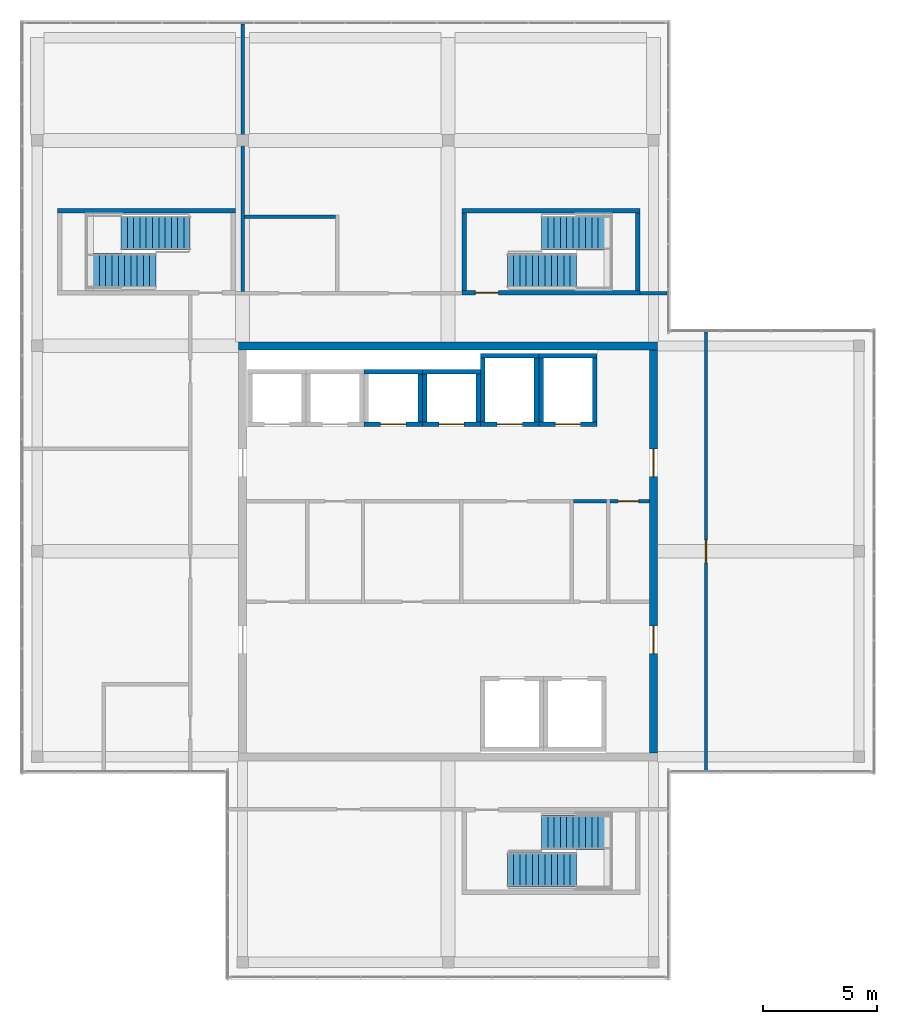
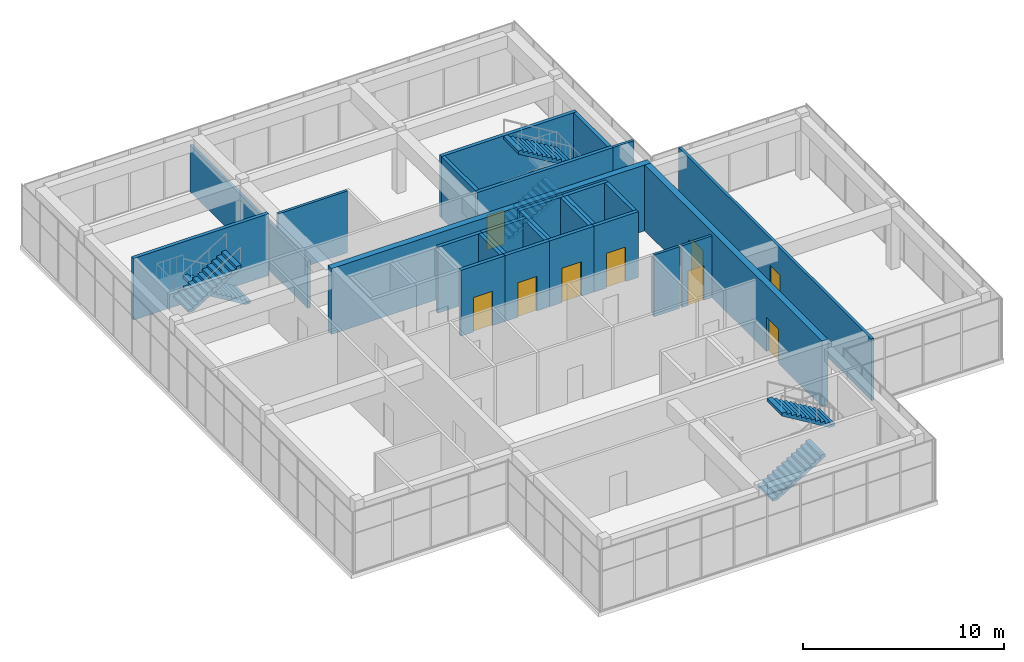
# One storey, part 32 of 34: 28 walls, 9 doors, 6 stair flights, 9 openings, 3 elements without a shape of their own.
"""IFC4 building model written with IfcOpenShell, lengths in metres."""

from ifc_helpers import new_model, si_unit, direction, frame, frame_2d, origin, place, context, subcontext, project, spatial, polyline, rectangle, outline, extrude, material, layer, layer_set, type_object, element, fill, aggregate, save


model = new_model("IFC4")

# Units and contexts
model_context = context("Model", 3, precision=1e-05, world=origin(), true_north=direction((0.0, 1.0)))
body_context = subcontext(model_context, "Body", "Model", "MODEL_VIEW")
ifc_project = project(units=[si_unit("LENGTHUNIT", "METRE"), si_unit("AREAUNIT", "SQUARE_METRE"), si_unit("VOLUMEUNIT", "CUBIC_METRE"), si_unit("PLANEANGLEUNIT", "RADIAN"), si_unit("MASSUNIT", "GRAM", prefix="KILO")], contexts=[model_context])

# Site, building, storey
site_placement = place(None, origin())
site = spatial("IfcSite", under=ifc_project, at=site_placement, CompositionType="ELEMENT")
building_placement = place(site_placement, origin())
building = spatial("IfcBuilding", under=site, at=building_placement, Name="Tuart Plaza Theatre", CompositionType="ELEMENT")
storey_placement = place(building_placement, frame((0.0, 0.0, 57.5)))
storey = spatial("IfcBuildingStorey", under=building, at=storey_placement, Name="L14", CompositionType="ELEMENT", Elevation=57.5)

# Wall
ifc_material_1 = material(Name="Masonry block", Category="masonry")
ifc_layer_1 = layer(ifc_material_1, 0.14990234375)
ifc_layer_set_1 = layer_set([ifc_layer_1], Name="PARTITION BLK150 MASONRYB FRL -/120/120")
wall_type_1 = type_object("IfcWallType", Name="PARTITION BLK150 MASONRYB FRL -/120/120", PredefinedType="PARTITIONING", material=ifc_layer_set_1)
wall_1_placement = place(storey_placement, frame((137.5, 76.199951171875, 0.0), z_axis=(0.0, 0.0, 1.0), x_axis=(1.0, 0.0, 0.0)))
element("IfcWall", 1, at=wall_1_placement, inside=storey, type_object=wall_type_1, Name="P706", PredefinedType="PARTITIONING", context=body_context, shape_type="SweptSolid", body=[
    extrude(rectangle(XDim=1.449951171875, YDim=0.14990234375, at=frame_2d((0.72509765625, 0.0))), origin(), (0.0, 0.0, 1.0), 3.75),
])

# Wall, opening, door
wall_2_placement = place(storey_placement, frame((139.10009765625, 76.199951171875, 0.0), z_axis=(0.0, 0.0, 1.0), x_axis=(1.0, 0.0, 0.0)))
wall_2 = element("IfcWall", 2, at=wall_2_placement, inside=storey, type_object=wall_type_1, Name="P708", PredefinedType="PARTITIONING", context=body_context, shape_type="SweptSolid", body=[
    extrude(rectangle(XDim=1.724853515625, YDim=0.14990234375, at=frame_2d((0.8623046875, 0.0))), origin(), (0.0, 0.0, 1.0), 3.75),
])
opening_1_placement = place(wall_2_placement, frame((0.35009765625, 0.0, 0.0)))
opening_1 = element("IfcOpeningElement", 3, at=opening_1_placement, cuts=wall_2, Name="Opening L14-021", PredefinedType="OPENING", context=body_context, shape_type="SweptSolid", body=[
    extrude(rectangle(XDim=0.89990234375, YDim=2.10009765625, at=frame_2d((0.449951171875, 1.050048828125))), frame((0.0, 0.0849609375, 0.0), z_axis=(0.0, -1.0, 0.0), x_axis=(1.0, 0.0, 0.0)), (0.0, 0.0, 1.0), 0.169921875),
])
ifc_material_2 = material(Name="Steel Grade 300", Category="steel")
door_type_1 = type_object("IfcDoorType", Name="DOOR 900x2100 steel single swing FRL -/120/30", OperationType="SINGLE_SWING_LEFT", PredefinedType="DOOR", material=ifc_material_2)
door_1_placement = place(opening_1_placement, frame((0.89990234375, 0.0, 0.0), z_axis=(0.0, 0.0, 1.0), x_axis=(-1.0, 0.0, 0.0)))
door_1 = element("IfcDoor", 4, at=door_1_placement, inside=storey, type_object=door_type_1, Name="L14-021", OperationType="SINGLE_SWING_LEFT", OverallHeight=2.10009765625, OverallWidth=0.89990234375, PredefinedType="DOOR", context=body_context, shape_type="SweptSolid", body=[
    extrude(rectangle(XDim=0.89990234375, YDim=2.10009765625, at=frame_2d((0.449951171875, 1.050048828125))), frame((0.0, 0.02490234375, 0.0), z_axis=(0.0, -1.0, 0.0), x_axis=(1.0, 0.0, 0.0)), (0.0, 0.0, 1.0), 0.050048828125),
])
fill(opening_1, door_1)

ifc_material_3 = material(Name="Masonry block", Category="masonry")
ifc_layer_2 = layer(ifc_material_3, 0.14990234375)
ifc_layer_set_2 = layer_set([ifc_layer_2], Name="PARTITION BLK150 MASONRYB FRL 120/-/-")
wall_type_2 = type_object("IfcWallType", Name="PARTITION BLK150 MASONRYB FRL 120/-/-", PredefinedType="PARTITIONING", material=ifc_layer_set_2)
wall_3_placement = place(storey_placement, frame((143.300048828125, 83.60009765625, 0.0), z_axis=(0.0, 0.0, 1.0), x_axis=(0.0, -1.0, 0.0)))
wall_3 = element("IfcWall", 5, at=wall_3_placement, inside=storey, type_object=wall_type_2, Name="P712", PredefinedType="PARTITIONING", context=body_context, shape_type="SweptSolid", body=[
    extrude(rectangle(XDim=19.2001953125, YDim=0.14990234375, at=frame_2d((9.60009765625, 0.0))), origin(), (0.0, 0.0, 1.0), 3.75),
])
opening_2_placement = place(wall_3_placement, frame((9.10009765625, 0.0, 0.0)))
opening_2 = element("IfcOpeningElement", 6, at=opening_2_placement, cuts=wall_3, Name="Opening L14-026", PredefinedType="OPENING", context=body_context, shape_type="SweptSolid", body=[
    extrude(rectangle(XDim=1.0, YDim=2.10009765625, at=frame_2d((0.5, 1.050048828125))), frame((0.0, 0.0849609375, 0.0), z_axis=(0.0, -1.0, 0.0), x_axis=(1.0, 0.0, 0.0)), (0.0, 0.0, 1.0), 0.169921875),
])
ifc_material_4 = material(Name="Timber", Category="wood")
door_type_2 = type_object("IfcDoorType", Name="DOOR 1000x2100 timber single swing FRL -/60/30", OperationType="SINGLE_SWING_LEFT", PredefinedType="DOOR", material=ifc_material_4)
door_2_placement = place(opening_2_placement, origin())
door_2 = element("IfcDoor", 7, at=door_2_placement, inside=storey, type_object=door_type_2, Name="L14-026", OperationType="SINGLE_SWING_LEFT", OverallHeight=2.10009765625, OverallWidth=1.0, PredefinedType="DOOR", context=body_context, shape_type="SweptSolid", body=[
    extrude(rectangle(XDim=1.0, YDim=2.10009765625, at=frame_2d((0.5, 1.050048828125))), frame((0.0, 0.02490234375, 0.0), z_axis=(0.0, -1.0, 0.0), x_axis=(1.0, 0.0, 0.0)), (0.0, 0.0, 1.0), 0.050048828125),
])
fill(opening_2, door_2)

# Walls
wall_4_placement = place(storey_placement, frame((140.39990234375, 85.300048828125, 0.0), z_axis=(0.0, 0.0, 1.0), x_axis=(1.0, 0.0, 0.0)))
element("IfcWall", 8, at=wall_4_placement, inside=storey, type_object=wall_type_2, Name="P714", PredefinedType="PARTITIONING", context=body_context, shape_type="SweptSolid", body=[
    extrude(rectangle(XDim=1.2001953125, YDim=0.14990234375, at=frame_2d((0.60009765625, 0.0))), origin(), (0.0, 0.0, 1.0), 3.75),
])
wall_5_placement = place(storey_placement, frame((123.0, 85.3740234375, 0.0), z_axis=(0.0, 0.0, 1.0), x_axis=(0.0, 1.0, 0.0)))
element("IfcWall", 9, at=wall_5_placement, inside=storey, type_object=wall_type_2, Name="P715", PredefinedType="PARTITIONING", context=body_context, shape_type="SweptSolid", body=[
    extrude(rectangle(XDim=11.72607421875, YDim=0.14990234375, at=frame_2d((5.863037109375, 0.0))), origin(), (0.0, 0.0, 1.0), 2.85009765625),
])
wall_6_placement = place(storey_placement, frame((123.074951171875, 88.64990234375, 0.0), z_axis=(0.0, 0.0, 1.0), x_axis=(1.0, 0.0, 0.0)))
element("IfcWall", 10, at=wall_6_placement, inside=storey, type_object=wall_type_2, Name="P719", PredefinedType="PARTITIONING", context=body_context, shape_type="SweptSolid", body=[
    extrude(rectangle(XDim=4.0, YDim=0.14990234375, at=frame_2d((2.0, 0.0))), origin(), (0.0, 0.0, 1.0), 3.75),
])

# Wall, opening, door
ifc_material_5 = material(Name="Concrete N40 (40 MPa)", Category="concrete")
ifc_layer_3 = layer(ifc_material_5, 0.199951171875)
ifc_layer_set_3 = layer_set([ifc_layer_3], Name="SHEAR WALL RC200 FRL 120/120/120")
wall_type_3 = type_object("IfcWallType", Name="SHEAR WALL RC200 FRL 120/120/120", PredefinedType="SHEAR", material=ifc_layer_set_3)
wall_7_placement = place(storey_placement, frame((128.324951171875, 79.574951171875, 0.0), z_axis=(0.0, 0.0, 1.0), x_axis=(1.0, 0.0, 0.0)))
wall_7 = element("IfcWall", 11, at=wall_7_placement, inside=storey, type_object=wall_type_3, Name="W926", PredefinedType="SHEAR", context=body_context, shape_type="SweptSolid", body=[
    extrude(rectangle(XDim=2.550048828125, YDim=0.199951171875, at=frame_2d((1.27490234375, 0.0))), origin(), (0.0, 0.0, 1.0), 4.0),
])
opening_3_placement = place(wall_7_placement, frame((0.72509765625, 0.0, 0.0)))
opening_3 = element("IfcOpeningElement", 12, at=opening_3_placement, cuts=wall_7, Name="Opening L14-003", PredefinedType="OPENING", context=body_context, shape_type="SweptSolid", body=[
    extrude(rectangle(XDim=1.10009765625, YDim=2.10009765625, at=frame_2d((0.550048828125, 1.050048828125))), frame((0.0, 0.10986328125, 0.0), z_axis=(0.0, -1.0, 0.0), x_axis=(1.0, 0.0, 0.0)), (0.0, 0.0, 1.0), 0.219970703125),
])
ifc_material_6 = material(Name="Steel Grade 300", Category="steel")
door_type_3 = type_object("IfcDoorType", Name="LANDING DOOR 1100x2100 steel sliding FRL -/120/30", OperationType="SLIDING_TO_LEFT", PredefinedType="DOOR", material=ifc_material_6)
door_3_placement = place(opening_3_placement, origin())
door_3 = element("IfcDoor", 13, at=door_3_placement, inside=storey, type_object=door_type_3, Name="L14-003", OperationType="SLIDING_TO_LEFT", OverallHeight=2.10009765625, OverallWidth=1.10009765625, PredefinedType="DOOR", context=body_context, shape_type="SweptSolid", body=[
    extrude(rectangle(XDim=1.10009765625, YDim=2.10009765625, at=frame_2d((0.550048828125, 1.050048828125))), frame((0.0, 0.02490234375, 0.0), z_axis=(0.0, -1.0, 0.0), x_axis=(1.0, 0.0, 0.0)), (0.0, 0.0, 1.0), 0.050048828125),
])
fill(opening_3, door_3)

# Walls
wall_8_placement = place(storey_placement, frame((130.77490234375, 79.675048828125, 0.0), z_axis=(0.0, 0.0, 1.0), x_axis=(0.0, 1.0, 0.0)))
element("IfcWall", 14, at=wall_8_placement, inside=storey, type_object=wall_type_3, Name="W927", PredefinedType="SHEAR", context=body_context, shape_type="SweptSolid", body=[
    extrude(rectangle(XDim=2.099853515625, YDim=0.199951171875, at=frame_2d((1.0498046875, 0.0))), origin(), (0.0, 0.0, 1.0), 4.0),
])
wall_9_placement = place(storey_placement, frame((130.875, 81.875, 0.0), z_axis=(0.0, 0.0, 1.0), x_axis=(-1.0, 0.0, 0.0)))
element("IfcWall", 15, at=wall_9_placement, inside=storey, type_object=wall_type_3, Name="W928", PredefinedType="SHEAR", context=body_context, shape_type="SweptSolid", body=[
    extrude(rectangle(XDim=2.550048828125, YDim=0.199951171875, at=frame_2d((1.27490234375, 0.0))), origin(), (0.0, 0.0, 1.0), 4.0),
])

# Wall, opening, door
wall_10_placement = place(storey_placement, frame((130.875, 79.574951171875, 0.0), z_axis=(0.0, 0.0, 1.0), x_axis=(1.0, 0.0, 0.0)))
wall_10 = element("IfcWall", 16, at=wall_10_placement, inside=storey, type_object=wall_type_3, Name="W998", PredefinedType="SHEAR", context=body_context, shape_type="SweptSolid", body=[
    extrude(rectangle(XDim=2.550048828125, YDim=0.199951171875, at=frame_2d((1.27490234375, 0.0))), origin(), (0.0, 0.0, 1.0), 4.0),
])
opening_4_placement = place(wall_10_placement, frame((0.72509765625, 0.0, 0.0)))
opening_4 = element("IfcOpeningElement", 17, at=opening_4_placement, cuts=wall_10, Name="Opening L14-004", PredefinedType="OPENING", context=body_context, shape_type="SweptSolid", body=[
    extrude(rectangle(XDim=1.10009765625, YDim=2.10009765625, at=frame_2d((0.550048828125, 1.050048828125))), frame((0.0, 0.10986328125, 0.0), z_axis=(0.0, -1.0, 0.0), x_axis=(1.0, 0.0, 0.0)), (0.0, 0.0, 1.0), 0.219970703125),
])
door_4_placement = place(opening_4_placement, origin())
door_4 = element("IfcDoor", 18, at=door_4_placement, inside=storey, type_object=door_type_3, Name="L14-004", OperationType="SLIDING_TO_LEFT", OverallHeight=2.10009765625, OverallWidth=1.10009765625, PredefinedType="DOOR", context=body_context, shape_type="SweptSolid", body=[
    extrude(rectangle(XDim=1.10009765625, YDim=2.10009765625, at=frame_2d((0.550048828125, 1.050048828125))), frame((0.0, 0.02490234375, 0.0), z_axis=(0.0, -1.0, 0.0), x_axis=(1.0, 0.0, 0.0)), (0.0, 0.0, 1.0), 0.050048828125),
])
fill(opening_4, door_4)

# Walls
wall_11_placement = place(storey_placement, frame((133.324951171875, 79.675048828125, 0.0), z_axis=(0.0, 0.0, 1.0), x_axis=(0.0, 1.0, 0.0)))
element("IfcWall", 19, at=wall_11_placement, inside=storey, type_object=wall_type_3, Name="W999", PredefinedType="SHEAR", context=body_context, shape_type="SweptSolid", body=[
    extrude(rectangle(XDim=2.099853515625, YDim=0.199951171875, at=frame_2d((1.0498046875, 0.0))), origin(), (0.0, 0.0, 1.0), 4.0),
])
wall_12_placement = place(storey_placement, frame((133.425048828125, 81.875, 0.0), z_axis=(0.0, 0.0, 1.0), x_axis=(-1.0, 0.0, 0.0)))
element("IfcWall", 20, at=wall_12_placement, inside=storey, type_object=wall_type_3, Name="W1000", PredefinedType="SHEAR", context=body_context, shape_type="SweptSolid", body=[
    extrude(rectangle(XDim=2.550048828125, YDim=0.199951171875, at=frame_2d((1.27490234375, 0.0))), origin(), (0.0, 0.0, 1.0), 4.0),
])
wall_13_placement = place(storey_placement, frame((130.97509765625, 81.77490234375, 0.0), z_axis=(0.0, 0.0, 1.0), x_axis=(0.0, -1.0, 0.0)))
element("IfcWall", 21, at=wall_13_placement, inside=storey, type_object=wall_type_3, Name="W1001", PredefinedType="SHEAR", context=body_context, shape_type="SweptSolid", body=[
    extrude(rectangle(XDim=2.099853515625, YDim=0.199951171875, at=frame_2d((1.0498046875, 0.0))), origin(), (0.0, 0.0, 1.0), 4.0),
])

# Wall, opening, door
wall_14_placement = place(storey_placement, frame((133.425048828125, 79.574951171875, 0.0), z_axis=(0.0, 0.0, 1.0), x_axis=(1.0, 0.0, 0.0)))
wall_14 = element("IfcWall", 22, at=wall_14_placement, inside=storey, type_object=wall_type_3, Name="W1222", PredefinedType="SHEAR", context=body_context, shape_type="SweptSolid", body=[
    extrude(rectangle(XDim=2.550048828125, YDim=0.199951171875, at=frame_2d((1.27490234375, 0.0))), origin(), (0.0, 0.0, 1.0), 4.0),
])
opening_5_placement = place(wall_14_placement, frame((0.72509765625, 0.0, 0.0)))
opening_5 = element("IfcOpeningElement", 23, at=opening_5_placement, cuts=wall_14, Name="Opening L14-007", PredefinedType="OPENING", context=body_context, shape_type="SweptSolid", body=[
    extrude(rectangle(XDim=1.10009765625, YDim=2.10009765625, at=frame_2d((0.550048828125, 1.050048828125))), frame((0.0, 0.10986328125, 0.0), z_axis=(0.0, -1.0, 0.0), x_axis=(1.0, 0.0, 0.0)), (0.0, 0.0, 1.0), 0.219970703125),
])
door_5_placement = place(opening_5_placement, origin())
door_5 = element("IfcDoor", 24, at=door_5_placement, inside=storey, type_object=door_type_3, Name="L14-007", OperationType="SLIDING_TO_LEFT", OverallHeight=2.10009765625, OverallWidth=1.10009765625, PredefinedType="DOOR", context=body_context, shape_type="SweptSolid", body=[
    extrude(rectangle(XDim=1.10009765625, YDim=2.10009765625, at=frame_2d((0.550048828125, 1.050048828125))), frame((0.0, 0.02490234375, 0.0), z_axis=(0.0, -1.0, 0.0), x_axis=(1.0, 0.0, 0.0)), (0.0, 0.0, 1.0), 0.050048828125),
])
fill(opening_5, door_5)

# Walls
wall_15_placement = place(storey_placement, frame((135.875, 79.675048828125, 0.0), z_axis=(0.0, 0.0, 1.0), x_axis=(0.0, 1.0, 0.0)))
element("IfcWall", 25, at=wall_15_placement, inside=storey, type_object=wall_type_3, Name="W1223", PredefinedType="SHEAR", context=body_context, shape_type="SweptSolid", body=[
    extrude(rectangle(XDim=2.800048828125, YDim=0.199951171875, at=frame_2d((1.39990234375, 0.0))), origin(), (0.0, 0.0, 1.0), 4.0),
])
wall_16_placement = place(storey_placement, frame((135.97509765625, 82.574951171875, 0.0), z_axis=(0.0, 0.0, 1.0), x_axis=(-1.0, 0.0, 0.0)))
element("IfcWall", 26, at=wall_16_placement, inside=storey, type_object=wall_type_3, Name="W1224", PredefinedType="SHEAR", context=body_context, shape_type="SweptSolid", body=[
    extrude(rectangle(XDim=2.550048828125, YDim=0.199951171875, at=frame_2d((1.27490234375, 0.0))), origin(), (0.0, 0.0, 1.0), 4.0),
])
wall_17_placement = place(storey_placement, frame((133.52490234375, 82.47509765625, 0.0), z_axis=(0.0, 0.0, 1.0), x_axis=(0.0, -1.0, 0.0)))
element("IfcWall", 27, at=wall_17_placement, inside=storey, type_object=wall_type_3, Name="W1225", PredefinedType="SHEAR", context=body_context, shape_type="SweptSolid", body=[
    extrude(rectangle(XDim=2.800048828125, YDim=0.199951171875, at=frame_2d((1.39990234375, 0.0))), origin(), (0.0, 0.0, 1.0), 4.0),
])

# Wall, opening, door
wall_18_placement = place(storey_placement, frame((135.97509765625, 79.574951171875, 0.0), z_axis=(0.0, 0.0, 1.0), x_axis=(1.0, 0.0, 0.0)))
wall_18 = element("IfcWall", 28, at=wall_18_placement, inside=storey, type_object=wall_type_3, Name="W1298", PredefinedType="SHEAR", context=body_context, shape_type="SweptSolid", body=[
    extrude(rectangle(XDim=2.5498046875, YDim=0.199951171875, at=frame_2d((1.27490234375, 0.0))), origin(), (0.0, 0.0, 1.0), 4.0),
])
opening_6_placement = place(wall_18_placement, frame((0.72509765625, 0.0, 0.0)))
opening_6 = element("IfcOpeningElement", 29, at=opening_6_placement, cuts=wall_18, Name="Opening L14-008", PredefinedType="OPENING", context=body_context, shape_type="SweptSolid", body=[
    extrude(rectangle(XDim=1.10009765625, YDim=2.10009765625, at=frame_2d((0.550048828125, 1.050048828125))), frame((0.0, 0.10986328125, 0.0), z_axis=(0.0, -1.0, 0.0), x_axis=(1.0, 0.0, 0.0)), (0.0, 0.0, 1.0), 0.219970703125),
])
door_6_placement = place(opening_6_placement, origin())
door_6 = element("IfcDoor", 30, at=door_6_placement, inside=storey, type_object=door_type_3, Name="L14-008", OperationType="SLIDING_TO_LEFT", OverallHeight=2.10009765625, OverallWidth=1.10009765625, PredefinedType="DOOR", context=body_context, shape_type="SweptSolid", body=[
    extrude(rectangle(XDim=1.10009765625, YDim=2.10009765625, at=frame_2d((0.550048828125, 1.050048828125))), frame((0.0, 0.02490234375, 0.0), z_axis=(0.0, -1.0, 0.0), x_axis=(1.0, 0.0, 0.0)), (0.0, 0.0, 1.0), 0.050048828125),
])
fill(opening_6, door_6)

# Walls
wall_19_placement = place(storey_placement, frame((138.425048828125, 79.675048828125, 0.0), z_axis=(0.0, 0.0, 1.0), x_axis=(0.0, 1.0, 0.0)))
element("IfcWall", 31, at=wall_19_placement, inside=storey, type_object=wall_type_3, Name="W1299", PredefinedType="SHEAR", context=body_context, shape_type="SweptSolid", body=[
    extrude(rectangle(XDim=2.800048828125, YDim=0.199951171875, at=frame_2d((1.39990234375, 0.0))), origin(), (0.0, 0.0, 1.0), 4.0),
])
wall_20_placement = place(storey_placement, frame((138.52490234375, 82.574951171875, 0.0), z_axis=(0.0, 0.0, 1.0), x_axis=(-1.0, 0.0, 0.0)))
element("IfcWall", 32, at=wall_20_placement, inside=storey, type_object=wall_type_3, Name="W1300", PredefinedType="SHEAR", context=body_context, shape_type="SweptSolid", body=[
    extrude(rectangle(XDim=2.5498046875, YDim=0.199951171875, at=frame_2d((1.27490234375, 0.0))), origin(), (0.0, 0.0, 1.0), 4.0),
])
wall_21_placement = place(storey_placement, frame((136.074951171875, 82.47509765625, 0.0), z_axis=(0.0, 0.0, 1.0), x_axis=(0.0, -1.0, 0.0)))
element("IfcWall", 33, at=wall_21_placement, inside=storey, type_object=wall_type_3, Name="W1301", PredefinedType="SHEAR", context=body_context, shape_type="SweptSolid", body=[
    extrude(rectangle(XDim=2.800048828125, YDim=0.199951171875, at=frame_2d((1.39990234375, 0.0))), origin(), (0.0, 0.0, 1.0), 4.0),
])

# Wall, opening, door
wall_22_placement = place(storey_placement, frame((132.60009765625, 85.324951171875, 0.0), z_axis=(0.0, 0.0, 1.0), x_axis=(1.0, 0.0, 0.0)))
wall_22 = element("IfcWall", 34, at=wall_22_placement, inside=storey, type_object=wall_type_3, Name="P440", PredefinedType="SHEAR", context=body_context, shape_type="SweptSolid", body=[
    extrude(rectangle(XDim=7.7998046875, YDim=0.199951171875, at=frame_2d((3.89990234375, 0.0))), origin(), (0.0, 0.0, 1.0), 3.75),
])
opening_7_placement = place(wall_22_placement, frame((0.60009765625, 0.0, 0.0)))
opening_7 = element("IfcOpeningElement", 35, at=opening_7_placement, cuts=wall_22, Name="Opening L14-010", PredefinedType="OPENING", context=body_context, shape_type="SweptSolid", body=[
    extrude(rectangle(XDim=1.0, YDim=2.10009765625, at=frame_2d((0.5, 1.050048828125))), frame((0.0, 0.10986328125, 0.0), z_axis=(0.0, -1.0, 0.0), x_axis=(1.0, 0.0, 0.0)), (0.0, 0.0, 1.0), 0.219970703125),
])
ifc_material_7 = material(Name="Steel Grade 300", Category="steel")
door_type_4 = type_object("IfcDoorType", Name="DOOR 1000x2100 steel single swing FRL -/120/30", OperationType="SINGLE_SWING_LEFT", PredefinedType="DOOR", material=ifc_material_7)
door_7_placement = place(opening_7_placement, origin())
door_7 = element("IfcDoor", 36, at=door_7_placement, inside=storey, type_object=door_type_4, Name="L14-010", OperationType="SINGLE_SWING_RIGHT", OverallHeight=2.10009765625, OverallWidth=1.0, PredefinedType="DOOR", context=body_context, shape_type="SweptSolid", body=[
    extrude(rectangle(XDim=1.0, YDim=2.10009765625, at=frame_2d((0.5, 1.050048828125))), frame((0.0, 0.02490234375, 0.0), z_axis=(0.0, -1.0, 0.0), x_axis=(1.0, 0.0, 0.0)), (0.0, 0.0, 1.0), 0.050048828125),
])
fill(opening_7, door_7)

# Walls
wall_23_placement = place(storey_placement, frame((140.300048828125, 85.425048828125, 0.0), z_axis=(0.0, 0.0, 1.0), x_axis=(0.0, 1.0, 0.0)))
element("IfcWall", 37, at=wall_23_placement, inside=storey, type_object=wall_type_3, Name="P441", PredefinedType="SHEAR", context=body_context, shape_type="SweptSolid", body=[
    extrude(rectangle(XDim=3.39990234375, YDim=0.199951171875, at=frame_2d((1.699951171875, 0.0))), origin(), (0.0, 0.0, 1.0), 3.75),
])
wall_24_placement = place(storey_placement, frame((140.39990234375, 88.925048828125, 0.0), z_axis=(0.0, 0.0, 1.0), x_axis=(-1.0, 0.0, 0.0)))
element("IfcWall", 38, at=wall_24_placement, inside=storey, type_object=wall_type_3, Name="P442", PredefinedType="SHEAR", context=body_context, shape_type="SweptSolid", body=[
    extrude(rectangle(XDim=7.7998046875, YDim=0.199951171875, at=frame_2d((3.89990234375, 0.0))), origin(), (0.0, 0.0, 1.0), 3.75),
])
wall_25_placement = place(storey_placement, frame((132.699951171875, 88.824951171875, 0.0), z_axis=(0.0, 0.0, 1.0), x_axis=(0.0, -1.0, 0.0)))
element("IfcWall", 39, at=wall_25_placement, inside=storey, type_object=wall_type_3, Name="P443", PredefinedType="SHEAR", context=body_context, shape_type="SweptSolid", body=[
    extrude(rectangle(XDim=3.39990234375, YDim=0.199951171875, at=frame_2d((1.699951171875, 0.0))), origin(), (0.0, 0.0, 1.0), 3.75),
])
wall_26_placement = place(storey_placement, frame((122.699951171875, 88.925048828125, 0.0), z_axis=(0.0, 0.0, 1.0), x_axis=(-1.0, 0.0, 0.0)))
element("IfcWall", 40, at=wall_26_placement, inside=storey, type_object=wall_type_3, Name="P470", PredefinedType="SHEAR", context=body_context, shape_type="SweptSolid", body=[
    extrude(rectangle(XDim=7.800048828125, YDim=0.199951171875, at=frame_2d((3.89990234375, 0.0))), origin(), (0.0, 0.0, 1.0), 3.75),
])

# Wall, openings, doors
ifc_material_8 = material(Name="Concrete N40 (40 MPa)", Category="concrete")
ifc_layer_4 = layer(ifc_material_8, 0.35009765625)
ifc_layer_set_4 = layer_set([ifc_layer_4], Name="SHEAR WALL RC350 FRL 120/120/120")
wall_type_4 = type_object("IfcWallType", Name="SHEAR WALL RC350 FRL 120/120/120", PredefinedType="SHEAR", material=ifc_layer_set_4)
wall_27_placement = place(storey_placement, frame((141.0, 65.175048828125, 0.0), z_axis=(0.0, 0.0, 1.0), x_axis=(0.0, 1.0, 0.0)))
wall_27 = element("IfcWall", 41, at=wall_27_placement, inside=storey, type_object=wall_type_4, Name="W428", PredefinedType="SHEAR", context=body_context, shape_type="SweptSolid", body=[
    extrude(rectangle(XDim=17.64990234375, YDim=0.35009765625, at=frame_2d((8.824951171875, 0.0))), origin(), (0.0, 0.0, 1.0), 4.0),
])
opening_8_placement = place(wall_27_placement, frame((4.35009765625, 0.0, 0.0)))
opening_8 = element("IfcOpeningElement", 42, at=opening_8_placement, cuts=wall_27, Name="Opening L14-013", PredefinedType="OPENING", context=body_context, shape_type="SweptSolid", body=[
    extrude(rectangle(XDim=1.199951171875, YDim=2.10009765625, at=frame_2d((0.60009765625, 1.050048828125))), frame((0.0, 0.18505859375, 0.0), z_axis=(0.0, -1.0, 0.0), x_axis=(1.0, 0.0, 0.0)), (0.0, 0.0, 1.0), 0.3701171875),
])
opening_9_placement = place(wall_27_placement, frame((12.10009765625, 0.0, 0.0)))
opening_9 = element("IfcOpeningElement", 43, at=opening_9_placement, cuts=wall_27, Name="Opening L14-015", PredefinedType="OPENING", context=body_context, shape_type="SweptSolid", body=[
    extrude(rectangle(XDim=1.199951171875, YDim=2.10009765625, at=frame_2d((0.60009765625, 1.050048828125))), frame((0.0, 0.18505859375, 0.0), z_axis=(0.0, -1.0, 0.0), x_axis=(1.0, 0.0, 0.0)), (0.0, 0.0, 1.0), 0.3701171875),
])
ifc_material_9 = material(Name="Steel Grade 300", Category="steel")
door_type_5 = type_object("IfcDoorType", Name="DOOR 1200x2100 steel single swing FRL -/120/30", OperationType="SINGLE_SWING_LEFT", PredefinedType="DOOR", material=ifc_material_9)
door_8_placement = place(opening_8_placement, frame((1.199951171875, 0.0, 0.0), z_axis=(0.0, 0.0, 1.0), x_axis=(-1.0, 0.0, 0.0)))
door_8 = element("IfcDoor", 44, at=door_8_placement, inside=storey, type_object=door_type_5, Name="L14-013", OperationType="SINGLE_SWING_LEFT", OverallHeight=2.10009765625, OverallWidth=1.199951171875, PredefinedType="DOOR", context=body_context, shape_type="SweptSolid", body=[
    extrude(rectangle(XDim=1.199951171875, YDim=2.10009765625, at=frame_2d((0.60009765625, 1.050048828125))), frame((0.0, 0.02490234375, 0.0), z_axis=(0.0, -1.0, 0.0), x_axis=(1.0, 0.0, 0.0)), (0.0, 0.0, 1.0), 0.050048828125),
])
fill(opening_8, door_8)
door_9_placement = place(opening_9_placement, frame((1.199951171875, 0.0, 0.0), z_axis=(0.0, 0.0, 1.0), x_axis=(-1.0, 0.0, 0.0)))
door_9 = element("IfcDoor", 45, at=door_9_placement, inside=storey, type_object=door_type_5, Name="L14-015", OperationType="SINGLE_SWING_RIGHT", OverallHeight=2.10009765625, OverallWidth=1.199951171875, PredefinedType="DOOR", context=body_context, shape_type="SweptSolid", body=[
    extrude(rectangle(XDim=1.199951171875, YDim=2.10009765625, at=frame_2d((0.60009765625, 1.050048828125))), frame((0.0, 0.02490234375, 0.0), z_axis=(0.0, -1.0, 0.0), x_axis=(1.0, 0.0, 0.0)), (0.0, 0.0, 1.0), 0.050048828125),
])
fill(opening_9, door_9)

# Wall
wall_28_placement = place(storey_placement, frame((141.175048828125, 83.0, 0.0), z_axis=(0.0, 0.0, 1.0), x_axis=(-1.0, 0.0, 0.0)))
element("IfcWall", 46, at=wall_28_placement, inside=storey, type_object=wall_type_4, Name="W429", PredefinedType="SHEAR", context=body_context, shape_type="SweptSolid", body=[
    extrude(rectangle(XDim=18.35009765625, YDim=0.35009765625, at=frame_2d((9.175048828125, 0.0))), origin(), (0.0, 0.0, 1.0), 4.0),
])

# Stair, stair flights
ifc_material_10 = material(Name="Concrete N40 (40 MPa)", Category="concrete")
stair_type = type_object("IfcStairType", Name="STAIR half turn 1500", PredefinedType="HALF_TURN_STAIR", material=ifc_material_10)
stair_1_placement = place(storey_placement, origin())
stair_1 = element("IfcStair", 47, at=stair_1_placement, inside=storey, type_object=stair_type, Name="SC-6", PredefinedType="HALF_TURN_STAIR")
ifc_material_11 = material(Name="Concrete N40 (40 MPa)", Category="concrete")
stair_flight_type = type_object("IfcStairFlightType", Name="STAIR FLIGHT 166.7 275 1500", PredefinedType="STRAIGHT", material=ifc_material_11)
stair_flight_1_placement = place(storey_placement, frame((134.594970703125, 60.050048828125, 0.0), z_axis=(0.0, 0.0, 1.0), x_axis=(1.0, 0.0, 0.0)))
stair_flight_1 = element("IfcStairFlight", 48, at=stair_flight_1_placement, type_object=stair_flight_type, Name="SC-6 flight 1", NumberOfRisers=12, NumberOfTreads=11, PredefinedType="STRAIGHT", RiserHeight=0.166666667, TreadLength=0.275, context=body_context, shape_type="SweptSolid", body=[
    extrude(outline(polyline([(0.0, 0.0), (0.0, 0.166748046875), (0.27490234375, 0.166748046875), (0.27490234375, 0.333251953125), (0.550048828125, 0.333251953125), (0.550048828125, 0.5), (0.824951171875, 0.5), (0.824951171875, 0.666748046875), (1.10009765625, 0.666748046875), (1.10009765625, 0.833251953125), (1.375, 0.833251953125), (1.375, 1.0), (1.64990234375, 1.0), (1.64990234375, 1.166748046875), (1.925048828125, 1.166748046875), (1.925048828125, 1.333251953125), (2.199951171875, 1.333251953125), (2.199951171875, 1.5), (2.47509765625, 1.5), (2.47509765625, 1.666748046875), (2.75, 1.666748046875), (2.75, 1.833251953125), (3.02490234375, 1.833251953125), (3.02490234375, 2.0), (3.02490234375, 1.657958984375), (0.289306640625, 0.0), (0.0, 0.0)])), frame((0.0, 0.75, 0.0), z_axis=(0.0, -1.0, 0.0), x_axis=(1.0, 0.0, 0.0)), (0.0, 0.0, 1.0), 1.5),
])
stair_flight_2_placement = place(storey_placement, frame((139.1201171875, 61.699951171875, 2.0), z_axis=(0.0, 0.0, 1.0), x_axis=(-1.0, 0.0, 0.0)))
stair_flight_2 = element("IfcStairFlight", 49, at=stair_flight_2_placement, type_object=stair_flight_type, Name="SC-6 flight 2", NumberOfRisers=12, NumberOfTreads=11, PredefinedType="STRAIGHT", RiserHeight=0.166666667, TreadLength=0.275, context=body_context, shape_type="SweptSolid", body=[
    extrude(outline(polyline([(0.0, 0.0), (0.0, 0.166748046875), (0.27490234375, 0.166748046875), (0.27490234375, 0.333251953125), (0.550048828125, 0.333251953125), (0.550048828125, 0.5), (0.824951171875, 0.5), (0.824951171875, 0.666748046875), (1.10009765625, 0.666748046875), (1.10009765625, 0.833251953125), (1.375, 0.833251953125), (1.375, 1.0), (1.64990234375, 1.0), (1.64990234375, 1.166748046875), (1.925048828125, 1.166748046875), (1.925048828125, 1.333251953125), (2.199951171875, 1.333251953125), (2.199951171875, 1.5), (2.47509765625, 1.5), (2.47509765625, 1.666748046875), (2.75, 1.666748046875), (2.75, 1.833251953125), (3.02490234375, 1.833251953125), (3.02490234375, 2.0), (3.02490234375, 1.657958984375), (0.289306640625, 0.0), (0.0, 0.0)])), frame((0.0, 0.75, 0.0), z_axis=(0.0, -1.0, 0.0), x_axis=(1.0, 0.0, 0.0)), (0.0, 0.0, 1.0), 1.5),
])
aggregate(stair_1, [stair_flight_1, stair_flight_2])

stair_2_placement = place(storey_placement, origin())
stair_2 = element("IfcStair", 50, at=stair_2_placement, inside=storey, type_object=stair_type, Name="SC-12", PredefinedType="HALF_TURN_STAIR")
stair_flight_3_placement = place(storey_placement, frame((134.594970703125, 86.300048828125, 0.0), z_axis=(0.0, 0.0, 1.0), x_axis=(1.0, 0.0, 0.0)))
stair_flight_3 = element("IfcStairFlight", 51, at=stair_flight_3_placement, type_object=stair_flight_type, Name="SC-12 flight 1", NumberOfRisers=12, NumberOfTreads=11, PredefinedType="STRAIGHT", RiserHeight=0.166666667, TreadLength=0.275, context=body_context, shape_type="SweptSolid", body=[
    extrude(outline(polyline([(0.0, 0.0), (0.0, 0.166748046875), (0.27490234375, 0.166748046875), (0.27490234375, 0.333251953125), (0.550048828125, 0.333251953125), (0.550048828125, 0.5), (0.824951171875, 0.5), (0.824951171875, 0.666748046875), (1.10009765625, 0.666748046875), (1.10009765625, 0.833251953125), (1.375, 0.833251953125), (1.375, 1.0), (1.64990234375, 1.0), (1.64990234375, 1.166748046875), (1.925048828125, 1.166748046875), (1.925048828125, 1.333251953125), (2.199951171875, 1.333251953125), (2.199951171875, 1.5), (2.47509765625, 1.5), (2.47509765625, 1.666748046875), (2.75, 1.666748046875), (2.75, 1.833251953125), (3.02490234375, 1.833251953125), (3.02490234375, 2.0), (3.02490234375, 1.657958984375), (0.289306640625, 0.0), (0.0, 0.0)])), frame((0.0, 0.75, 0.0), z_axis=(0.0, -1.0, 0.0), x_axis=(1.0, 0.0, 0.0)), (0.0, 0.0, 1.0), 1.5),
])
stair_flight_4_placement = place(storey_placement, frame((139.1201171875, 87.949951171875, 2.0), z_axis=(0.0, 0.0, 1.0), x_axis=(-1.0, 0.0, 0.0)))
stair_flight_4 = element("IfcStairFlight", 52, at=stair_flight_4_placement, type_object=stair_flight_type, Name="SC-12 flight 2", NumberOfRisers=12, NumberOfTreads=11, PredefinedType="STRAIGHT", RiserHeight=0.166666667, TreadLength=0.275, context=body_context, shape_type="SweptSolid", body=[
    extrude(outline(polyline([(0.0, 0.0), (0.0, 0.166748046875), (0.27490234375, 0.166748046875), (0.27490234375, 0.333251953125), (0.550048828125, 0.333251953125), (0.550048828125, 0.5), (0.824951171875, 0.5), (0.824951171875, 0.666748046875), (1.10009765625, 0.666748046875), (1.10009765625, 0.833251953125), (1.375, 0.833251953125), (1.375, 1.0), (1.64990234375, 1.0), (1.64990234375, 1.166748046875), (1.925048828125, 1.166748046875), (1.925048828125, 1.333251953125), (2.199951171875, 1.333251953125), (2.199951171875, 1.5), (2.47509765625, 1.5), (2.47509765625, 1.666748046875), (2.75, 1.666748046875), (2.75, 1.833251953125), (3.02490234375, 1.833251953125), (3.02490234375, 2.0), (3.02490234375, 1.657958984375), (0.289306640625, 0.0), (0.0, 0.0)])), frame((0.0, 0.75, 0.0), z_axis=(0.0, -1.0, 0.0), x_axis=(1.0, 0.0, 0.0)), (0.0, 0.0, 1.0), 1.5),
])
aggregate(stair_2, [stair_flight_3, stair_flight_4])

stair_3_placement = place(storey_placement, origin())
stair_3 = element("IfcStair", 53, at=stair_3_placement, inside=storey, type_object=stair_type, Name="SC-18", PredefinedType="HALF_TURN_STAIR")
stair_flight_5_placement = place(storey_placement, frame((120.705078125, 87.949951171875, 0.0), z_axis=(0.0, 0.0, 1.0), x_axis=(-1.0, 0.0, 0.0)))
stair_flight_5 = element("IfcStairFlight", 54, at=stair_flight_5_placement, type_object=stair_flight_type, Name="SC-18 flight 1", NumberOfRisers=12, NumberOfTreads=11, PredefinedType="STRAIGHT", RiserHeight=0.166666667, TreadLength=0.275, context=body_context, shape_type="SweptSolid", body=[
    extrude(outline(polyline([(0.0, 0.0), (0.0, 0.166748046875), (0.27490234375, 0.166748046875), (0.27490234375, 0.333251953125), (0.550048828125, 0.333251953125), (0.550048828125, 0.5), (0.824951171875, 0.5), (0.824951171875, 0.666748046875), (1.10009765625, 0.666748046875), (1.10009765625, 0.833251953125), (1.375, 0.833251953125), (1.375, 1.0), (1.64990234375, 1.0), (1.64990234375, 1.166748046875), (1.925048828125, 1.166748046875), (1.925048828125, 1.333251953125), (2.199951171875, 1.333251953125), (2.199951171875, 1.5), (2.47509765625, 1.5), (2.47509765625, 1.666748046875), (2.75, 1.666748046875), (2.75, 1.833251953125), (3.02490234375, 1.833251953125), (3.02490234375, 2.0), (3.02490234375, 1.657958984375), (0.289306640625, 0.0), (0.0, 0.0)])), frame((0.0, 0.75, 0.0), z_axis=(0.0, -1.0, 0.0), x_axis=(1.0, 0.0, 0.0)), (0.0, 0.0, 1.0), 1.5),
])
stair_flight_6_placement = place(storey_placement, frame((116.179931640625, 86.300048828125, 2.0), z_axis=(0.0, 0.0, 1.0), x_axis=(1.0, 0.0, 0.0)))
stair_flight_6 = element("IfcStairFlight", 55, at=stair_flight_6_placement, type_object=stair_flight_type, Name="SC-18 flight 2", NumberOfRisers=12, NumberOfTreads=11, PredefinedType="STRAIGHT", RiserHeight=0.166666667, TreadLength=0.275, context=body_context, shape_type="SweptSolid", body=[
    extrude(outline(polyline([(0.0, 0.0), (0.0, 0.166748046875), (0.27490234375, 0.166748046875), (0.27490234375, 0.333251953125), (0.550048828125, 0.333251953125), (0.550048828125, 0.5), (0.824951171875, 0.5), (0.824951171875, 0.666748046875), (1.10009765625, 0.666748046875), (1.10009765625, 0.833251953125), (1.375, 0.833251953125), (1.375, 1.0), (1.64990234375, 1.0), (1.64990234375, 1.166748046875), (1.925048828125, 1.166748046875), (1.925048828125, 1.333251953125), (2.199951171875, 1.333251953125), (2.199951171875, 1.5), (2.47509765625, 1.5), (2.47509765625, 1.666748046875), (2.75, 1.666748046875), (2.75, 1.833251953125), (3.02490234375, 1.833251953125), (3.02490234375, 2.0), (3.02490234375, 1.657958984375), (0.289306640625, 0.0), (0.0, 0.0)])), frame((0.0, 0.75, 0.0), z_axis=(0.0, -1.0, 0.0), x_axis=(1.0, 0.0, 0.0)), (0.0, 0.0, 1.0), 1.5),
])
aggregate(stair_3, [stair_flight_5, stair_flight_6])

save(model, "model.ifc")
